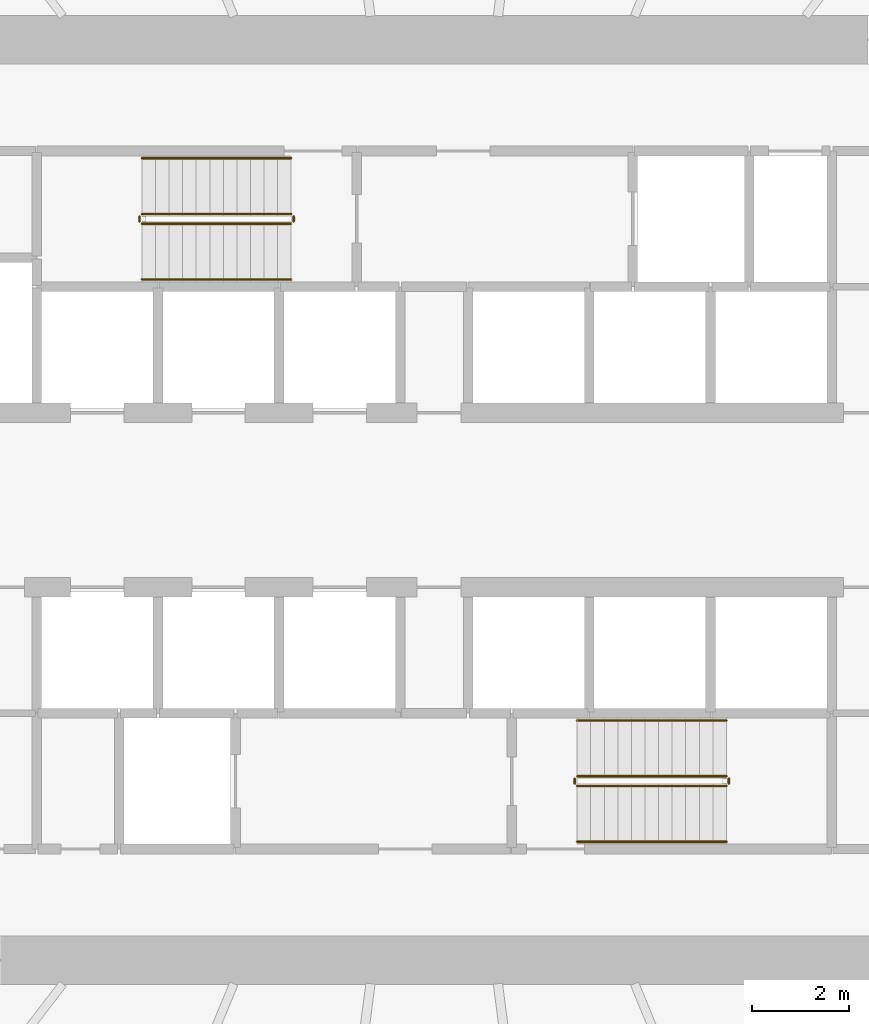
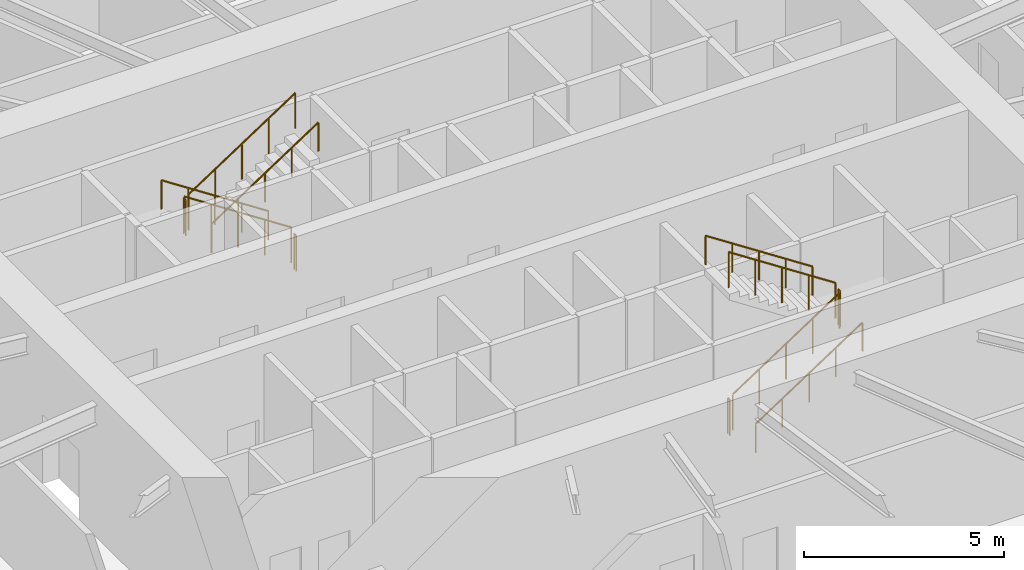
# One storey, part 16 of 19: 12 railings.
"""IFC4 building model written with IfcOpenShell, lengths in metres."""

from ifc_helpers import new_model, si_unit, direction, frame, origin, origin_2d, place, context, subcontext, project, spatial, circle, extrude, material, type_object, element, save


model = new_model("IFC4")

# Units and contexts
model_context = context("Model", 3, precision=1e-05, world=origin(), true_north=direction((0.0, 1.0)))
body_context = subcontext(model_context, "Body", "Model", "MODEL_VIEW")
ifc_project = project(units=[si_unit("LENGTHUNIT", "METRE"), si_unit("AREAUNIT", "SQUARE_METRE"), si_unit("VOLUMEUNIT", "CUBIC_METRE"), si_unit("PLANEANGLEUNIT", "RADIAN"), si_unit("MASSUNIT", "GRAM", prefix="KILO")], contexts=[model_context])

# Site, building, storey
site_placement = place(None, origin())
site = spatial("IfcSite", under=ifc_project, at=site_placement, CompositionType="ELEMENT")
building_placement = place(site_placement, origin())
building = spatial("IfcBuilding", under=site, at=building_placement, Name="Spindrift Exchange Tower", CompositionType="ELEMENT")
storey_placement = place(building_placement, frame((0.0, 0.0, 13.800048828125)))
storey = spatial("IfcBuildingStorey", under=building, at=storey_placement, Name="L03", CompositionType="ELEMENT", Elevation=13.800048828125)

# Railings
ifc_material_1 = material(Name="Steel balustrade", Category="steel")
railing_type_1 = type_object("IfcRailingType", Name="RL-STAIR-GUARD", PredefinedType="GUARDRAIL", material=ifc_material_1)
railing_1_placement = place(storey_placement, frame((49.050048828125, 53.89990234375, 0.183349609375)))
element("IfcRailing", 1, at=railing_1_placement, inside=storey, type_object=railing_type_1, Name="L03 ST1 stair guard 1", PredefinedType="GUARDRAIL", context=body_context, shape_type="SweptSolid", body=[
    extrude(circle(Radius=0.02392578125, at=origin_2d()), frame((0.0, 0.0, 1.076171875), z_axis=(-0.836633000464, 0.0, 0.547763838287), x_axis=(0.0, -1.0, 0.0)), (0.0, 0.0, 1.0), 3.681396484375),
    extrude(circle(Radius=0.02099609375, at=origin_2d()), origin(), (0.0, 0.0, 1.0), 1.052001953125),
    extrude(circle(Radius=0.02099609375, at=origin_2d()), frame((-0.77001953125, 0.0, 0.504150390625)), (0.0, 0.0, 1.0), 1.052001953125),
    extrude(circle(Radius=0.02099609375, at=origin_2d()), frame((-1.5400390625, 0.0, 1.00830078125)), (0.0, 0.0, 1.0), 1.052001953125),
    extrude(circle(Radius=0.02099609375, at=origin_2d()), frame((-2.31005859375, 0.0, 1.512451171875)), (0.0, 0.0, 1.0), 1.052001953125),
    extrude(circle(Radius=0.02099609375, at=origin_2d()), frame((-3.080078125, 0.0, 2.0166015625)), (0.0, 0.0, 1.0), 1.052001953125),
])
railing_2_placement = place(storey_placement, frame((45.919921875, 53.85009765625, 2.199951171875)))
element("IfcRailing", 2, at=railing_2_placement, inside=storey, type_object=railing_type_1, Name="L03 ST1 stair guard 2", PredefinedType="GUARDRAIL", context=body_context, shape_type="SweptSolid", body=[
    extrude(circle(Radius=0.02392578125, at=origin_2d()), frame((0.0, 0.0, 1.076171875), z_axis=(0.0, -1.0, 0.0), x_axis=(1.0, 0.0, 0.0)), (0.0, 0.0, 1.0), 0.10009765625),
    extrude(circle(Radius=0.02099609375, at=origin_2d()), origin(), (0.0, 0.0, 1.0), 1.052001953125),
    extrude(circle(Radius=0.02099609375, at=origin_2d()), frame((0.0, -0.10009765625, 0.0)), (0.0, 0.0, 1.0), 1.052001953125),
])
railing_3_placement = place(storey_placement, frame((45.969970703125, 53.699951171875, 2.38330078125)))
element("IfcRailing", 3, at=railing_3_placement, inside=storey, type_object=railing_type_1, Name="L03 ST1 stair guard 3", PredefinedType="GUARDRAIL", context=body_context, shape_type="SweptSolid", body=[
    extrude(circle(Radius=0.02392578125, at=origin_2d()), frame((0.0, 0.0, 1.076171875), z_axis=(0.836633000464, 0.0, 0.547763838287), x_axis=(0.0, 1.0, 0.0)), (0.0, 0.0, 1.0), 3.681396484375),
    extrude(circle(Radius=0.02099609375, at=origin_2d()), origin(), (0.0, 0.0, 1.0), 1.052001953125),
    extrude(circle(Radius=0.02099609375, at=origin_2d()), frame((0.77001953125, 0.0, 0.504150390625)), (0.0, 0.0, 1.0), 1.052001953125),
    extrude(circle(Radius=0.02099609375, at=origin_2d()), frame((1.5400390625, 0.0, 1.00830078125)), (0.0, 0.0, 1.0), 1.052001953125),
    extrude(circle(Radius=0.02099609375, at=origin_2d()), frame((2.31005859375, 0.0, 1.512451171875)), (0.0, 0.0, 1.0), 1.052001953125),
    extrude(circle(Radius=0.02099609375, at=origin_2d()), frame((3.080078125, 0.0, 2.0166015625)), (0.0, 0.0, 1.0), 1.052001953125),
])
railing_4_placement = place(storey_placement, frame((49.10009765625, 53.85009765625, 0.0)))
element("IfcRailing", 4, at=railing_4_placement, inside=storey, type_object=railing_type_1, Name="L03 ST1 stair guard 4", PredefinedType="GUARDRAIL", context=body_context, shape_type="SweptSolid", body=[
    extrude(circle(Radius=0.02392578125, at=origin_2d()), frame((0.0, 0.0, 1.076171875), z_axis=(0.0, -1.0, 0.0), x_axis=(1.0, 0.0, 0.0)), (0.0, 0.0, 1.0), 0.10009765625),
    extrude(circle(Radius=0.02099609375, at=origin_2d()), origin(), (0.0, 0.0, 1.0), 1.052001953125),
    extrude(circle(Radius=0.02099609375, at=origin_2d()), frame((0.0, -0.10009765625, 0.0)), (0.0, 0.0, 1.0), 1.052001953125),
])
railing_5_placement = place(storey_placement, frame((54.949951171875, 42.10009765625, 0.183349609375)))
element("IfcRailing", 5, at=railing_5_placement, inside=storey, type_object=railing_type_1, Name="L03 ST2 stair guard 1", PredefinedType="GUARDRAIL", context=body_context, shape_type="SweptSolid", body=[
    extrude(circle(Radius=0.02392578125, at=origin_2d()), frame((0.0, 0.0, 1.076171875), z_axis=(0.836633000464, 0.0, 0.547763838287), x_axis=(0.0, 1.0, 0.0)), (0.0, 0.0, 1.0), 3.681396484375),
    extrude(circle(Radius=0.02099609375, at=origin_2d()), origin(), (0.0, 0.0, 1.0), 1.052001953125),
    extrude(circle(Radius=0.02099609375, at=origin_2d()), frame((0.77001953125, 0.0, 0.504150390625)), (0.0, 0.0, 1.0), 1.052001953125),
    extrude(circle(Radius=0.02099609375, at=origin_2d()), frame((1.5400390625, 0.0, 1.00830078125)), (0.0, 0.0, 1.0), 1.052001953125),
    extrude(circle(Radius=0.02099609375, at=origin_2d()), frame((2.31005859375, 0.0, 1.512451171875)), (0.0, 0.0, 1.0), 1.052001953125),
    extrude(circle(Radius=0.02099609375, at=origin_2d()), frame((3.080078125, 0.0, 2.0166015625)), (0.0, 0.0, 1.0), 1.052001953125),
])
railing_6_placement = place(storey_placement, frame((58.080078125, 42.14990234375, 2.199951171875)))
element("IfcRailing", 6, at=railing_6_placement, inside=storey, type_object=railing_type_1, Name="L03 ST2 stair guard 2", PredefinedType="GUARDRAIL", context=body_context, shape_type="SweptSolid", body=[
    extrude(circle(Radius=0.02392578125, at=origin_2d()), frame((0.0, 0.0, 1.076171875), z_axis=(0.0, 1.0, 0.0), x_axis=(-1.0, 0.0, 0.0)), (0.0, 0.0, 1.0), 0.10009765625),
    extrude(circle(Radius=0.02099609375, at=origin_2d()), origin(), (0.0, 0.0, 1.0), 1.052001953125),
    extrude(circle(Radius=0.02099609375, at=origin_2d()), frame((0.0, 0.10009765625, 0.0)), (0.0, 0.0, 1.0), 1.052001953125),
])
railing_7_placement = place(storey_placement, frame((58.030029296875, 42.300048828125, 2.38330078125)))
element("IfcRailing", 7, at=railing_7_placement, inside=storey, type_object=railing_type_1, Name="L03 ST2 stair guard 3", PredefinedType="GUARDRAIL", context=body_context, shape_type="SweptSolid", body=[
    extrude(circle(Radius=0.02392578125, at=origin_2d()), frame((0.0, 0.0, 1.076171875), z_axis=(-0.836633000464, 0.0, 0.547763838287), x_axis=(0.0, -1.0, 0.0)), (0.0, 0.0, 1.0), 3.681396484375),
    extrude(circle(Radius=0.02099609375, at=origin_2d()), origin(), (0.0, 0.0, 1.0), 1.052001953125),
    extrude(circle(Radius=0.02099609375, at=origin_2d()), frame((-0.77001953125, 0.0, 0.504150390625)), (0.0, 0.0, 1.0), 1.052001953125),
    extrude(circle(Radius=0.02099609375, at=origin_2d()), frame((-1.5400390625, 0.0, 1.00830078125)), (0.0, 0.0, 1.0), 1.052001953125),
    extrude(circle(Radius=0.02099609375, at=origin_2d()), frame((-2.31005859375, 0.0, 1.512451171875)), (0.0, 0.0, 1.0), 1.052001953125),
    extrude(circle(Radius=0.02099609375, at=origin_2d()), frame((-3.080078125, 0.0, 2.0166015625)), (0.0, 0.0, 1.0), 1.052001953125),
])
railing_8_placement = place(storey_placement, frame((54.89990234375, 42.14990234375, 0.0)))
element("IfcRailing", 8, at=railing_8_placement, inside=storey, type_object=railing_type_1, Name="L03 ST2 stair guard 4", PredefinedType="GUARDRAIL", context=body_context, shape_type="SweptSolid", body=[
    extrude(circle(Radius=0.02392578125, at=origin_2d()), frame((0.0, 0.0, 1.076171875), z_axis=(0.0, 1.0, 0.0), x_axis=(-1.0, 0.0, 0.0)), (0.0, 0.0, 1.0), 0.10009765625),
    extrude(circle(Radius=0.02099609375, at=origin_2d()), origin(), (0.0, 0.0, 1.0), 1.052001953125),
    extrude(circle(Radius=0.02099609375, at=origin_2d()), frame((0.0, 0.10009765625, 0.0)), (0.0, 0.0, 1.0), 1.052001953125),
])
ifc_material_2 = material(Name="Steel tubular handrail", Category="steel")
railing_type_2 = type_object("IfcRailingType", Name="RL-STAIR-HAND", PredefinedType="HANDRAIL", material=ifc_material_2)
railing_9_placement = place(storey_placement, frame((49.050048828125, 55.050048828125, 0.183349609375)))
element("IfcRailing", 9, at=railing_9_placement, inside=storey, type_object=railing_type_2, Name="L03 ST1 stair handrail 1", PredefinedType="HANDRAIL", context=body_context, shape_type="SweptSolid", body=[
    extrude(circle(Radius=0.02392578125, at=origin_2d()), frame((0.0, 0.0, 0.8759765625), z_axis=(-0.836633000464, 0.0, 0.547763838287), x_axis=(0.0, -1.0, 0.0)), (0.0, 0.0, 1.0), 3.681396484375),
    extrude(circle(Radius=0.02099609375, at=origin_2d()), origin(), (0.0, 0.0, 1.0), 0.851806640625),
    extrude(circle(Radius=0.02099609375, at=origin_2d()), frame((-0.77001953125, 0.0, 0.504150390625)), (0.0, 0.0, 1.0), 0.851806640625),
    extrude(circle(Radius=0.02099609375, at=origin_2d()), frame((-1.5400390625, 0.0, 1.00830078125)), (0.0, 0.0, 1.0), 0.851806640625),
    extrude(circle(Radius=0.02099609375, at=origin_2d()), frame((-2.31005859375, 0.0, 1.512451171875)), (0.0, 0.0, 1.0), 0.851806640625),
    extrude(circle(Radius=0.02099609375, at=origin_2d()), frame((-3.080078125, 0.0, 2.0166015625)), (0.0, 0.0, 1.0), 0.851806640625),
])
for number, where, name in (
    (10, (45.969970703125, 52.550048828125, 2.38330078125), "L03 ST1 stair handrail 2"),
    (11, (54.949951171875, 40.949951171875, 0.183349609375), "L03 ST2 stair handrail 1"),
):
    element("IfcRailing", number, at=place(storey_placement, frame(where)), inside=storey, type_object=railing_type_2, Name=name, PredefinedType="HANDRAIL", context=body_context, shape_type="SweptSolid", body=[
        extrude(circle(Radius=0.02392578125, at=origin_2d()), frame((0.0, 0.0, 0.8759765625), z_axis=(0.836633000464, 0.0, 0.547763838287), x_axis=(0.0, 1.0, 0.0)), (0.0, 0.0, 1.0), 3.681396484375),
        extrude(circle(Radius=0.02099609375, at=origin_2d()), origin(), (0.0, 0.0, 1.0), 0.851806640625),
        extrude(circle(Radius=0.02099609375, at=origin_2d()), frame((0.77001953125, 0.0, 0.504150390625)), (0.0, 0.0, 1.0), 0.851806640625),
        extrude(circle(Radius=0.02099609375, at=origin_2d()), frame((1.5400390625, 0.0, 1.00830078125)), (0.0, 0.0, 1.0), 0.851806640625),
        extrude(circle(Radius=0.02099609375, at=origin_2d()), frame((2.31005859375, 0.0, 1.512451171875)), (0.0, 0.0, 1.0), 0.851806640625),
        extrude(circle(Radius=0.02099609375, at=origin_2d()), frame((3.080078125, 0.0, 2.0166015625)), (0.0, 0.0, 1.0), 0.851806640625),
    ])
railing_10_placement = place(storey_placement, frame((58.030029296875, 43.449951171875, 2.38330078125)))
element("IfcRailing", 12, at=railing_10_placement, inside=storey, type_object=railing_type_2, Name="L03 ST2 stair handrail 2", PredefinedType="HANDRAIL", context=body_context, shape_type="SweptSolid", body=[
    extrude(circle(Radius=0.02392578125, at=origin_2d()), frame((0.0, 0.0, 0.8759765625), z_axis=(-0.836633000464, 0.0, 0.547763838287), x_axis=(0.0, -1.0, 0.0)), (0.0, 0.0, 1.0), 3.681396484375),
    extrude(circle(Radius=0.02099609375, at=origin_2d()), origin(), (0.0, 0.0, 1.0), 0.851806640625),
    extrude(circle(Radius=0.02099609375, at=origin_2d()), frame((-0.77001953125, 0.0, 0.504150390625)), (0.0, 0.0, 1.0), 0.851806640625),
    extrude(circle(Radius=0.02099609375, at=origin_2d()), frame((-1.5400390625, 0.0, 1.00830078125)), (0.0, 0.0, 1.0), 0.851806640625),
    extrude(circle(Radius=0.02099609375, at=origin_2d()), frame((-2.31005859375, 0.0, 1.512451171875)), (0.0, 0.0, 1.0), 0.851806640625),
    extrude(circle(Radius=0.02099609375, at=origin_2d()), frame((-3.080078125, 0.0, 2.0166015625)), (0.0, 0.0, 1.0), 0.851806640625),
])

save(model, "model.ifc")
